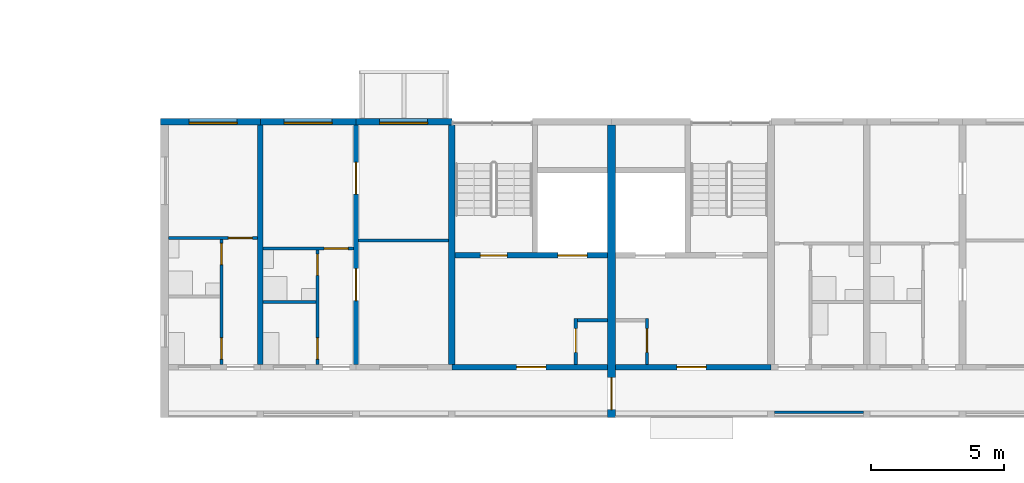
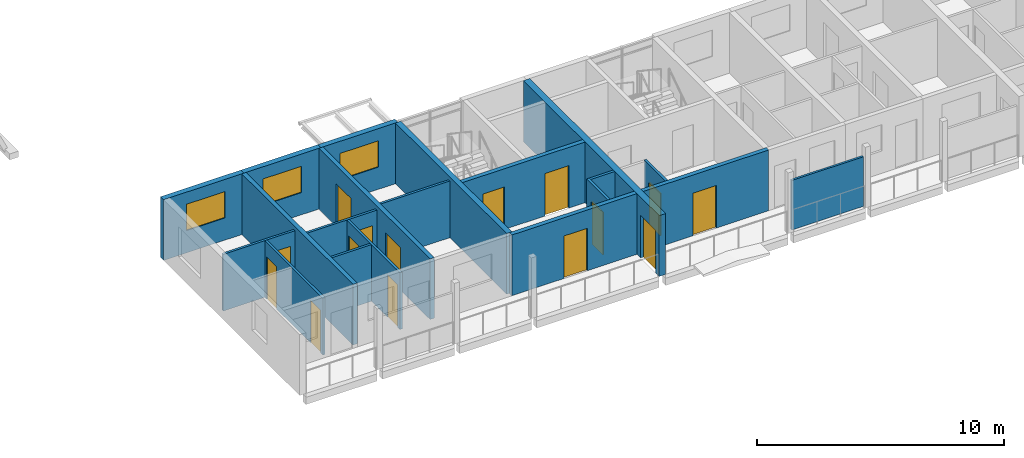
# One storey, part 47 of 100: 20 walls, 15 doors, 3 windows, 18 openings.
"""IFC4 building model written with IfcOpenShell, lengths in metres."""

from ifc_helpers import new_model, si_unit, direction, frame, frame_2d, origin, place, context, subcontext, project, spatial, rectangle, extrude, material, layer, layer_set, type_object, element, fill, save


model = new_model("IFC4")

# Units and contexts
model_context = context("Model", 3, precision=1e-05, world=origin(), true_north=direction((0.0, 1.0)))
body_context = subcontext(model_context, "Body", "Model", "MODEL_VIEW")
ifc_project = project(units=[si_unit("LENGTHUNIT", "METRE"), si_unit("AREAUNIT", "SQUARE_METRE"), si_unit("VOLUMEUNIT", "CUBIC_METRE"), si_unit("PLANEANGLEUNIT", "RADIAN"), si_unit("MASSUNIT", "GRAM", prefix="KILO")], contexts=[model_context])

# Site, building, storey
site_placement = place(None, origin())
site = spatial("IfcSite", under=ifc_project, at=site_placement, CompositionType="ELEMENT")
building_placement = place(site_placement, origin())
building = spatial("IfcBuilding", under=site, at=building_placement, Name="Ridgestep Commons", CompositionType="ELEMENT")
storey_placement = place(building_placement, frame((0.0, 0.0, 9.0)))
storey = spatial("IfcBuildingStorey", under=building, at=storey_placement, Name="L03", CompositionType="ELEMENT", Elevation=9.0)

# Wall
ifc_material_1 = material(Name="Concrete C30/37", Category="concrete")
ifc_layer_1 = layer(ifc_material_1, 0.25)
ifc_layer_set_1 = layer_set([ifc_layer_1], Name="Core cross wall 250")
wall_type_1 = type_object("IfcWallType", Name="Core cross wall 250", PredefinedType="SHEAR", material=ifc_layer_set_1)
wall_1_placement = place(storey_placement, frame((157.60009765625, 13.75, 0.0), z_axis=(0.0, 0.0, 1.0), x_axis=(0.0, 1.0, 0.0)))
element("IfcWall", 1, at=wall_1_placement, inside=storey, type_object=wall_type_1, Name="Cross wall D-03-1576", PredefinedType="SHEAR", context=body_context, shape_type="SweptSolid", body=[
    extrude(rectangle(XDim=9.0, YDim=0.25, at=frame_2d((4.5, 0.0))), origin(), (0.0, 0.0, 1.0), 3.0),
])

# Wall, opening, door
ifc_material_2 = material(Name="Concrete C30/37", Category="concrete")
ifc_layer_2 = layer(ifc_material_2, 0.199951171875)
ifc_layer_set_2 = layer_set([ifc_layer_2], Name="Core south wall 200")
wall_type_2 = type_object("IfcWallType", Name="Core south wall 200", PredefinedType="SHEAR", material=ifc_layer_set_2)
wall_2_placement = place(storey_placement, frame((157.60009765625, 13.64990234375, 0.0), z_axis=(0.0, 0.0, 1.0), x_axis=(1.0, 0.0, 0.0)))
wall_2 = element("IfcWall", 2, at=wall_2_placement, inside=storey, type_object=wall_type_2, Name="Core south wall D1C L03", PredefinedType="SHEAR", context=body_context, shape_type="SweptSolid", body=[
    extrude(rectangle(XDim=5.849853515625, YDim=0.199951171875, at=frame_2d((2.9248046875, 0.0))), origin(), (0.0, 0.0, 1.0), 3.0),
])
opening_1_placement = place(wall_2_placement, frame((2.4375, 0.0, 0.0)))
opening_1 = element("IfcOpeningElement", 3, at=opening_1_placement, cuts=wall_2, Name="Opening D1C/03/1", PredefinedType="OPENING", context=body_context, shape_type="SweptSolid", body=[
    extrude(rectangle(XDim=1.10009765625, YDim=2.10009765625, at=frame_2d((0.550048828125, 1.050048828125))), frame((0.0, 0.10986328125, 0.0), z_axis=(0.0, -1.0, 0.0), x_axis=(1.0, 0.0, 0.0)), (0.0, 0.0, 1.0), 0.219970703125),
])
ifc_material_3 = material(Name="Steel fire door", Category="steel")
door_type_1 = type_object("IfcDoorType", Name="Lobby door 1100 x 2100 FD60", OperationType="NOTDEFINED", PredefinedType="DOOR", material=ifc_material_3)
door_1_placement = place(opening_1_placement, origin())
door_1 = element("IfcDoor", 4, at=door_1_placement, inside=storey, type_object=door_type_1, Name="Lobby door D1C/03/1", OperationType="SINGLE_SWING_LEFT", OverallHeight=2.10009765625, OverallWidth=1.10009765625, PredefinedType="DOOR", context=body_context, shape_type="SweptSolid", body=[
    extrude(rectangle(XDim=1.10009765625, YDim=2.10009765625, at=frame_2d((0.550048828125, 1.050048828125))), frame((0.0, 0.02490234375, 0.0), z_axis=(0.0, -1.0, 0.0), x_axis=(1.0, 0.0, 0.0)), (0.0, 0.0, 1.0), 0.050048828125),
])
fill(opening_1, door_1)

wall_3_placement = place(storey_placement, frame((163.75, 13.64990234375, 0.0), z_axis=(0.0, 0.0, 1.0), x_axis=(1.0, 0.0, 0.0)))
wall_3 = element("IfcWall", 5, at=wall_3_placement, inside=storey, type_object=wall_type_2, Name="Core south wall D2C L03", PredefinedType="SHEAR", context=body_context, shape_type="SweptSolid", body=[
    extrude(rectangle(XDim=5.85009765625, YDim=0.199951171875, at=frame_2d((2.925048828125, 0.0))), origin(), (0.0, 0.0, 1.0), 3.0),
])
opening_2_placement = place(wall_3_placement, frame((2.3125, 0.0, 0.0)))
opening_2 = element("IfcOpeningElement", 6, at=opening_2_placement, cuts=wall_3, Name="Opening D2C/03/1", PredefinedType="OPENING", context=body_context, shape_type="SweptSolid", body=[
    extrude(rectangle(XDim=1.10009765625, YDim=2.10009765625, at=frame_2d((0.550048828125, 1.050048828125))), frame((0.0, 0.10986328125, 0.0), z_axis=(0.0, -1.0, 0.0), x_axis=(1.0, 0.0, 0.0)), (0.0, 0.0, 1.0), 0.219970703125),
])
door_2_placement = place(opening_2_placement, origin())
door_2 = element("IfcDoor", 7, at=door_2_placement, inside=storey, type_object=door_type_1, Name="Lobby door D2C/03/1", OperationType="SINGLE_SWING_LEFT", OverallHeight=2.10009765625, OverallWidth=1.10009765625, PredefinedType="DOOR", context=body_context, shape_type="SweptSolid", body=[
    extrude(rectangle(XDim=1.10009765625, YDim=2.10009765625, at=frame_2d((0.550048828125, 1.050048828125))), frame((0.0, 0.02490234375, 0.0), z_axis=(0.0, -1.0, 0.0), x_axis=(1.0, 0.0, 0.0)), (0.0, 0.0, 1.0), 0.050048828125),
])
fill(opening_2, door_2)

ifc_material_4 = material(Name="Concrete C30/37", Category="concrete")
ifc_layer_3 = layer(ifc_material_4, 0.1201171875)
ifc_layer_set_3 = layer_set([ifc_layer_3], Name="Core wall 120")
wall_type_3 = type_object("IfcWallType", Name="Core wall 120", PredefinedType="SHEAR", material=ifc_layer_set_3)
wall_4_placement = place(storey_placement, frame((162.260009765625, 13.75, 0.0), z_axis=(0.0, 0.0, 1.0), x_axis=(0.0, 1.0, 0.0)))
wall_4 = element("IfcWall", 8, at=wall_4_placement, inside=storey, type_object=wall_type_3, Name="Core riser w wall D1C L03", PredefinedType="SHEAR", context=body_context, shape_type="SweptSolid", body=[
    extrude(rectangle(XDim=1.719970703125, YDim=0.1201171875, at=frame_2d((0.85986328125, 0.0))), origin(), (0.0, 0.0, 1.0), 3.0),
])
opening_3_placement = place(wall_4_placement, frame((0.449951171875, 0.0, 0.0)))
opening_3 = element("IfcOpeningElement", 9, at=opening_3_placement, cuts=wall_4, Name="Opening D1C/03/4", PredefinedType="OPENING", context=body_context, shape_type="SweptSolid", body=[
    extrude(rectangle(XDim=0.89990234375, YDim=2.10009765625, at=frame_2d((0.449951171875, 1.050048828125))), frame((0.0, 0.070068359375, 0.0), z_axis=(0.0, -1.0, 0.0), x_axis=(1.0, 0.0, 0.0)), (0.0, 0.0, 1.0), 0.14013671875),
])
ifc_material_5 = material(Name="Steel fire door", Category="steel")
door_type_2 = type_object("IfcDoorType", Name="Riser door 900 x 2100 FD60", OperationType="NOTDEFINED", PredefinedType="DOOR", material=ifc_material_5)
door_3_placement = place(opening_3_placement, origin())
door_3 = element("IfcDoor", 10, at=door_3_placement, inside=storey, type_object=door_type_2, Name="Riser door D1C/03/4", OperationType="SINGLE_SWING_LEFT", OverallHeight=2.10009765625, OverallWidth=0.89990234375, PredefinedType="DOOR", context=body_context, shape_type="SweptSolid", body=[
    extrude(rectangle(XDim=0.89990234375, YDim=2.10009765625, at=frame_2d((0.449951171875, 1.050048828125))), frame((0.0, 0.02490234375, 0.0), z_axis=(0.0, -1.0, 0.0), x_axis=(1.0, 0.0, 0.0)), (0.0, 0.0, 1.0), 0.050048828125),
])
fill(opening_3, door_3)

# Wall
wall_5_placement = place(storey_placement, frame((162.320068359375, 15.409912109375, 0.0), z_axis=(0.0, 0.0, 1.0), x_axis=(1.0, 0.0, 0.0)))
element("IfcWall", 11, at=wall_5_placement, inside=storey, type_object=wall_type_3, Name="Core riser n wall D1C L03", PredefinedType="SHEAR", context=body_context, shape_type="SweptSolid", body=[
    extrude(rectangle(XDim=1.1298828125, YDim=0.1201171875, at=frame_2d((0.56494140625, 0.0))), origin(), (0.0, 0.0, 1.0), 3.0),
])

# Wall, opening, door
wall_6_placement = place(storey_placement, frame((164.93994140625, 13.75, 0.0), z_axis=(0.0, 0.0, 1.0), x_axis=(0.0, 1.0, 0.0)))
wall_6 = element("IfcWall", 12, at=wall_6_placement, inside=storey, type_object=wall_type_3, Name="Core riser w wall D2C L03", PredefinedType="SHEAR", context=body_context, shape_type="SweptSolid", body=[
    extrude(rectangle(XDim=1.719970703125, YDim=0.1201171875, at=frame_2d((0.85986328125, 0.0))), origin(), (0.0, 0.0, 1.0), 3.0),
])
opening_4_placement = place(wall_6_placement, frame((0.449951171875, 0.0, 0.0)))
opening_4 = element("IfcOpeningElement", 13, at=opening_4_placement, cuts=wall_6, Name="Opening D2C/03/4", PredefinedType="OPENING", context=body_context, shape_type="SweptSolid", body=[
    extrude(rectangle(XDim=0.89990234375, YDim=2.10009765625, at=frame_2d((0.449951171875, 1.050048828125))), frame((0.0, 0.070068359375, 0.0), z_axis=(0.0, -1.0, 0.0), x_axis=(1.0, 0.0, 0.0)), (0.0, 0.0, 1.0), 0.14013671875),
])
door_4_placement = place(opening_4_placement, origin())
door_4 = element("IfcDoor", 14, at=door_4_placement, inside=storey, type_object=door_type_2, Name="Riser door D2C/03/4", OperationType="SINGLE_SWING_RIGHT", OverallHeight=2.10009765625, OverallWidth=0.89990234375, PredefinedType="DOOR", context=body_context, shape_type="SweptSolid", body=[
    extrude(rectangle(XDim=0.89990234375, YDim=2.10009765625, at=frame_2d((0.449951171875, 1.050048828125))), frame((0.0, 0.02490234375, 0.0), z_axis=(0.0, -1.0, 0.0), x_axis=(1.0, 0.0, 0.0)), (0.0, 0.0, 1.0), 0.050048828125),
])
fill(opening_4, door_4)

# Wall, openings, doors
ifc_material_6 = material(Name="Concrete C30/37", Category="concrete")
ifc_layer_4 = layer(ifc_material_6, 0.199951171875)
ifc_layer_set_4 = layer_set([ifc_layer_4], Name="Core wall 200")
wall_type_4 = type_object("IfcWallType", Name="Core wall 200", PredefinedType="SHEAR", material=ifc_layer_set_4)
wall_7_placement = place(storey_placement, frame((157.72509765625, 17.85009765625, 0.0), z_axis=(0.0, 0.0, 1.0), x_axis=(1.0, 0.0, 0.0)))
wall_7 = element("IfcWall", 15, at=wall_7_placement, inside=storey, type_object=wall_type_4, Name="Core lobby wall D1C L03", PredefinedType="SHEAR", context=body_context, shape_type="SweptSolid", body=[
    extrude(rectangle(XDim=5.724853515625, YDim=0.199951171875, at=frame_2d((2.8623046875, 0.0))), origin(), (0.0, 0.0, 1.0), 3.0),
])
opening_5_placement = place(wall_7_placement, frame((0.949951171875, 0.0, 0.0)))
opening_5 = element("IfcOpeningElement", 16, at=opening_5_placement, cuts=wall_7, Name="Opening D1C/03/2", PredefinedType="OPENING", context=body_context, shape_type="SweptSolid", body=[
    extrude(rectangle(XDim=1.0, YDim=2.10009765625, at=frame_2d((0.5, 1.050048828125))), frame((0.0, 0.10986328125, 0.0), z_axis=(0.0, -1.0, 0.0), x_axis=(1.0, 0.0, 0.0)), (0.0, 0.0, 1.0), 0.219970703125),
])
opening_6_placement = place(wall_7_placement, frame((3.862548828125, 0.0, 0.0)))
opening_6 = element("IfcOpeningElement", 17, at=opening_6_placement, cuts=wall_7, Name="Opening D1C/03/3", PredefinedType="OPENING", context=body_context, shape_type="SweptSolid", body=[
    extrude(rectangle(XDim=1.10009765625, YDim=2.10009765625, at=frame_2d((0.550048828125, 1.050048828125))), frame((0.0, 0.10986328125, 0.0), z_axis=(0.0, -1.0, 0.0), x_axis=(1.0, 0.0, 0.0)), (0.0, 0.0, 1.0), 0.219970703125),
])
ifc_material_7 = material(Name="Stainless steel", Category="steel")
door_type_3 = type_object("IfcDoorType", Name="Lift landing door 1100 x 2100 FD60", OperationType="DOUBLE_DOOR_SLIDING", PredefinedType="DOOR", material=ifc_material_7)
door_5_placement = place(opening_6_placement, origin())
door_5 = element("IfcDoor", 18, at=door_5_placement, inside=storey, type_object=door_type_3, Name="Landing door LD D1C L03", OperationType="DOUBLE_DOOR_SLIDING", OverallHeight=2.10009765625, OverallWidth=1.10009765625, PredefinedType="DOOR", context=body_context, shape_type="SweptSolid", body=[
    extrude(rectangle(XDim=1.10009765625, YDim=2.10009765625, at=frame_2d((0.550048828125, 1.050048828125))), frame((0.0, 0.02490234375, 0.0), z_axis=(0.0, -1.0, 0.0), x_axis=(1.0, 0.0, 0.0)), (0.0, 0.0, 1.0), 0.050048828125),
])
fill(opening_6, door_5)
ifc_material_8 = material(Name="Steel fire door", Category="steel")
door_type_4 = type_object("IfcDoorType", Name="Stair door 1000 x 2100 FD60", OperationType="NOTDEFINED", PredefinedType="DOOR", material=ifc_material_8)
door_6_placement = place(opening_5_placement, origin())
door_6 = element("IfcDoor", 19, at=door_6_placement, inside=storey, type_object=door_type_4, Name="Stair door D1C/03/2", OperationType="SINGLE_SWING_RIGHT", OverallHeight=2.10009765625, OverallWidth=1.0, PredefinedType="DOOR", context=body_context, shape_type="SweptSolid", body=[
    extrude(rectangle(XDim=1.0, YDim=2.10009765625, at=frame_2d((0.5, 1.050048828125))), frame((0.0, 0.02490234375, 0.0), z_axis=(0.0, -1.0, 0.0), x_axis=(1.0, 0.0, 0.0)), (0.0, 0.0, 1.0), 0.050048828125),
])
fill(opening_5, door_6)

# Wall
ifc_material_9 = material(Name="Precast concrete C40/50", Category="concrete")
ifc_layer_5 = layer(ifc_material_9, 0.199951171875)
ifc_layer_set_5 = layer_set([ifc_layer_5], Name="Cross wall 200")
wall_type_5 = type_object("IfcWallType", Name="Cross wall 200", PredefinedType="SHEAR", material=ifc_layer_set_5)
wall_8_placement = place(storey_placement, frame((150.39990234375, 13.75, 0.0), z_axis=(0.0, 0.0, 1.0), x_axis=(0.0, 1.0, 0.0)))
element("IfcWall", 20, at=wall_8_placement, inside=storey, type_object=wall_type_5, Name="Cross wall D-03-1504", PredefinedType="SHEAR", context=body_context, shape_type="SweptSolid", body=[
    extrude(rectangle(XDim=9.0, YDim=0.199951171875, at=frame_2d((4.5, 0.0))), origin(), (0.0, 0.0, 1.0), 3.0),
])

# Wall, openings, doors
wall_9_placement = place(storey_placement, frame((154.0, 13.75, 0.0), z_axis=(0.0, 0.0, 1.0), x_axis=(0.0, 1.0, 0.0)))
wall_9 = element("IfcWall", 21, at=wall_9_placement, inside=storey, type_object=wall_type_5, Name="Cross wall D-03-1540", PredefinedType="SHEAR", context=body_context, shape_type="SweptSolid", body=[
    extrude(rectangle(XDim=9.0, YDim=0.199951171875, at=frame_2d((4.5, 0.0))), origin(), (0.0, 0.0, 1.0), 3.0),
])
opening_7_placement = place(wall_9_placement, frame((2.39990234375, 0.0, 0.0)))
opening_7 = element("IfcOpeningElement", 22, at=opening_7_placement, cuts=wall_9, Name="Opening D1-03b/5", PredefinedType="OPENING", context=body_context, shape_type="SweptSolid", body=[
    extrude(rectangle(XDim=1.199951171875, YDim=2.10009765625, at=frame_2d((0.60009765625, 1.050048828125))), frame((0.0, 0.10986328125, 0.0), z_axis=(0.0, -1.0, 0.0), x_axis=(1.0, 0.0, 0.0)), (0.0, 0.0, 1.0), 0.219970703125),
])
opening_8_placement = place(wall_9_placement, frame((6.39990234375, 0.0, 0.0)))
opening_8 = element("IfcOpeningElement", 23, at=opening_8_placement, cuts=wall_9, Name="Opening D1-03b/6", PredefinedType="OPENING", context=body_context, shape_type="SweptSolid", body=[
    extrude(rectangle(XDim=1.199951171875, YDim=2.10009765625, at=frame_2d((0.60009765625, 1.050048828125))), frame((0.0, 0.10986328125, 0.0), z_axis=(0.0, -1.0, 0.0), x_axis=(1.0, 0.0, 0.0)), (0.0, 0.0, 1.0), 0.219970703125),
])
ifc_material_10 = material(Name="Timber door leaf", Category="wood")
door_type_5 = type_object("IfcDoorType", Name="Double door 1200 x 2100", OperationType="DOUBLE_DOOR_SINGLE_SWING", PredefinedType="DOOR", material=ifc_material_10)
door_7_placement = place(opening_7_placement, origin())
door_7 = element("IfcDoor", 24, at=door_7_placement, inside=storey, type_object=door_type_5, Name="Double door D1-03b/5", OperationType="DOUBLE_DOOR_SINGLE_SWING", OverallHeight=2.10009765625, OverallWidth=1.199951171875, PredefinedType="DOOR", context=body_context, shape_type="SweptSolid", body=[
    extrude(rectangle(XDim=1.199951171875, YDim=2.10009765625, at=frame_2d((0.60009765625, 1.050048828125))), frame((0.0, 0.02490234375, 0.0), z_axis=(0.0, -1.0, 0.0), x_axis=(1.0, 0.0, 0.0)), (0.0, 0.0, 1.0), 0.050048828125),
])
fill(opening_7, door_7)
door_8_placement = place(opening_8_placement, origin())
door_8 = element("IfcDoor", 25, at=door_8_placement, inside=storey, type_object=door_type_5, Name="Double door D1-03b/6", OperationType="DOUBLE_DOOR_SINGLE_SWING", OverallHeight=2.10009765625, OverallWidth=1.199951171875, PredefinedType="DOOR", context=body_context, shape_type="SweptSolid", body=[
    extrude(rectangle(XDim=1.199951171875, YDim=2.10009765625, at=frame_2d((0.60009765625, 1.050048828125))), frame((0.0, 0.02490234375, 0.0), z_axis=(0.0, -1.0, 0.0), x_axis=(1.0, 0.0, 0.0)), (0.0, 0.0, 1.0), 0.050048828125),
])
fill(opening_8, door_8)

# Wall, opening, door
ifc_material_11 = material(Name="Precast concrete C40/50", Category="concrete")
ifc_layer_6 = layer(ifc_material_11, 0.300048828125)
ifc_layer_set_6 = layer_set([ifc_layer_6], Name="Division wall 300")
wall_type_6 = type_object("IfcWallType", Name="Division wall 300", PredefinedType="SHEAR", material=ifc_layer_set_6)
wall_10_placement = place(storey_placement, frame((163.60009765625, 11.75, 0.0), z_axis=(0.0, 0.0, 1.0), x_axis=(0.0, 1.0, 0.0)))
wall_10 = element("IfcWall", 26, at=wall_10_placement, inside=storey, type_object=wall_type_6, Name="Cross wall D-03-1636", PredefinedType="SHEAR", context=body_context, shape_type="SweptSolid", body=[
    extrude(rectangle(XDim=11.0, YDim=0.300048828125, at=frame_2d((5.5, 0.0))), origin(), (0.0, 0.0, 1.0), 3.0),
])
opening_9_placement = place(wall_10_placement, frame((0.300048828125, 0.0, 0.0)))
opening_9 = element("IfcOpeningElement", 27, at=opening_9_placement, cuts=wall_10, Name="Opening D/03/G1636", PredefinedType="OPENING", context=body_context, shape_type="SweptSolid", body=[
    extrude(rectangle(XDim=1.199951171875, YDim=2.10009765625, at=frame_2d((0.60009765625, 1.050048828125))), frame((0.0, 0.159912109375, 0.0), z_axis=(0.0, -1.0, 0.0), x_axis=(1.0, 0.0, 0.0)), (0.0, 0.0, 1.0), 0.320068359375),
])
ifc_material_12 = material(Name="Steel fire door", Category="steel")
door_type_6 = type_object("IfcDoorType", Name="Division fire door 1200 x 2100 EI 240", OperationType="DOUBLE_DOOR_SINGLE_SWING", PredefinedType="DOOR", material=ifc_material_12)
door_9_placement = place(opening_9_placement, origin())
door_9 = element("IfcDoor", 28, at=door_9_placement, inside=storey, type_object=door_type_6, Name="Division fire door D/03/G1636", OperationType="DOUBLE_DOOR_SINGLE_SWING", OverallHeight=2.10009765625, OverallWidth=1.199951171875, PredefinedType="DOOR", context=body_context, shape_type="SweptSolid", body=[
    extrude(rectangle(XDim=1.199951171875, YDim=2.10009765625, at=frame_2d((0.60009765625, 1.050048828125))), frame((0.0, 0.02490234375, 0.0), z_axis=(0.0, -1.0, 0.0), x_axis=(1.0, 0.0, 0.0)), (0.0, 0.0, 1.0), 0.050048828125),
])
fill(opening_9, door_9)

# Wall, opening, window
ifc_material_13 = material(Name="Precast concrete C40/50", Category="concrete")
ifc_layer_7 = layer(ifc_material_13, 0.25)
ifc_layer_set_7 = layer_set([ifc_layer_7], Name="North facade panel 250")
wall_type_7 = type_object("IfcWallType", Name="North facade panel 250", PredefinedType="SOLIDWALL", material=ifc_layer_set_7)
wall_11_placement = place(storey_placement, frame((146.64990234375, 22.875, 0.0), z_axis=(0.0, 0.0, 1.0), x_axis=(1.0, 0.0, 0.0)))
wall_11 = element("IfcWall", 29, at=wall_11_placement, inside=storey, type_object=wall_type_7, Name="North panel D1T1 L03", PredefinedType="SOLIDWALL", context=body_context, shape_type="SweptSolid", body=[
    extrude(rectangle(XDim=3.75, YDim=0.25, at=frame_2d((1.875, 0.0))), origin(), (0.0, 0.0, 1.0), 3.0),
])
opening_10_placement = place(wall_11_placement, frame((1.074951171875, 0.0, 1.10009765625)))
opening_10 = element("IfcOpeningElement", 30, at=opening_10_placement, cuts=wall_11, Name="Opening W18", PredefinedType="OPENING", context=body_context, shape_type="SweptSolid", body=[
    extrude(rectangle(XDim=1.800048828125, YDim=1.300048828125, at=frame_2d((0.89990234375, 0.64990234375))), frame((0.0, 0.135009765625, 0.0), z_axis=(0.0, -1.0, 0.0), x_axis=(1.0, 0.0, 0.0)), (0.0, 0.0, 1.0), 0.27001953125),
])
ifc_material_14 = material(Name="Aluminium 6063-T6 and glass", Category="aluminium")
window_type = type_object("IfcWindowType", Name="Flat window 1800 x 1300", PartitioningType="DOUBLE_PANEL_VERTICAL", PredefinedType="WINDOW", material=ifc_material_14)
window_1_placement = place(opening_10_placement, origin())
window_1 = element("IfcWindow", 31, at=window_1_placement, inside=storey, type_object=window_type, Name="Window D1-03a 2", OverallHeight=1.300048828125, OverallWidth=1.800048828125, PartitioningType="SINGLE_PANEL", PredefinedType="WINDOW", context=body_context, shape_type="SweptSolid", body=[
    extrude(rectangle(XDim=1.800048828125, YDim=1.300048828125, at=frame_2d((0.89990234375, 0.64990234375))), frame((0.0, -0.02490234375, 0.0), z_axis=(0.0, -1.0, 0.0), x_axis=(1.0, 0.0, 0.0)), (0.0, 0.0, 1.0), 0.06005859375),
])
fill(opening_10, window_1)

wall_12_placement = place(storey_placement, frame((150.39990234375, 22.875, 0.0), z_axis=(0.0, 0.0, 1.0), x_axis=(1.0, 0.0, 0.0)))
wall_12 = element("IfcWall", 32, at=wall_12_placement, inside=storey, type_object=wall_type_7, Name="North panel D1T2 L03", PredefinedType="SOLIDWALL", context=body_context, shape_type="SweptSolid", body=[
    extrude(rectangle(XDim=3.60009765625, YDim=0.25, at=frame_2d((1.800048828125, 0.0))), origin(), (0.0, 0.0, 1.0), 3.0),
])
opening_11_placement = place(wall_12_placement, frame((0.89990234375, 0.0, 1.10009765625)))
opening_11 = element("IfcOpeningElement", 33, at=opening_11_placement, cuts=wall_12, Name="Opening W18", PredefinedType="OPENING", context=body_context, shape_type="SweptSolid", body=[
    extrude(rectangle(XDim=1.800048828125, YDim=1.300048828125, at=frame_2d((0.89990234375, 0.64990234375))), frame((0.0, 0.135009765625, 0.0), z_axis=(0.0, -1.0, 0.0), x_axis=(1.0, 0.0, 0.0)), (0.0, 0.0, 1.0), 0.27001953125),
])
window_2_placement = place(opening_11_placement, origin())
window_2 = element("IfcWindow", 34, at=window_2_placement, inside=storey, type_object=window_type, Name="Window D1-03b 4", OverallHeight=1.300048828125, OverallWidth=1.800048828125, PartitioningType="SINGLE_PANEL", PredefinedType="WINDOW", context=body_context, shape_type="SweptSolid", body=[
    extrude(rectangle(XDim=1.800048828125, YDim=1.300048828125, at=frame_2d((0.89990234375, 0.64990234375))), frame((0.0, -0.02490234375, 0.0), z_axis=(0.0, -1.0, 0.0), x_axis=(1.0, 0.0, 0.0)), (0.0, 0.0, 1.0), 0.06005859375),
])
fill(opening_11, window_2)

wall_13_placement = place(storey_placement, frame((154.0, 22.875, 0.0), z_axis=(0.0, 0.0, 1.0), x_axis=(1.0, 0.0, 0.0)))
wall_13 = element("IfcWall", 35, at=wall_13_placement, inside=storey, type_object=wall_type_7, Name="North panel D1T3 L03", PredefinedType="SOLIDWALL", context=body_context, shape_type="SweptSolid", body=[
    extrude(rectangle(XDim=3.60009765625, YDim=0.25, at=frame_2d((1.800048828125, 0.0))), origin(), (0.0, 0.0, 1.0), 3.0),
])
opening_12_placement = place(wall_13_placement, frame((0.887451171875, 0.0, 1.10009765625)))
opening_12 = element("IfcOpeningElement", 36, at=opening_12_placement, cuts=wall_13, Name="Opening W18", PredefinedType="OPENING", context=body_context, shape_type="SweptSolid", body=[
    extrude(rectangle(XDim=1.800048828125, YDim=1.300048828125, at=frame_2d((0.89990234375, 0.64990234375))), frame((0.0, 0.135009765625, 0.0), z_axis=(0.0, -1.0, 0.0), x_axis=(1.0, 0.0, 0.0)), (0.0, 0.0, 1.0), 0.27001953125),
])
window_3_placement = place(opening_12_placement, origin())
window_3 = element("IfcWindow", 37, at=window_3_placement, inside=storey, type_object=window_type, Name="Window D1-03b 2", OverallHeight=1.300048828125, OverallWidth=1.800048828125, PartitioningType="SINGLE_PANEL", PredefinedType="WINDOW", context=body_context, shape_type="SweptSolid", body=[
    extrude(rectangle(XDim=1.800048828125, YDim=1.300048828125, at=frame_2d((0.89990234375, 0.64990234375))), frame((0.0, -0.02490234375, 0.0), z_axis=(0.0, -1.0, 0.0), x_axis=(1.0, 0.0, 0.0)), (0.0, 0.0, 1.0), 0.06005859375),
])
fill(opening_12, window_3)

# Wall, openings, doors
ifc_material_15 = material(Name="Common brick 110 mm", Category="masonry")
ifc_layer_8 = layer(ifc_material_15, 0.110107421875)
ifc_layer_set_8 = layer_set([ifc_layer_8], Name="Partition 110")
wall_type_8 = type_object("IfcWallType", Name="Partition 110", PredefinedType="PARTITIONING", material=ifc_layer_set_8)
wall_14_placement = place(storey_placement, frame((148.945068359375, 13.75, 0.0), z_axis=(0.0, 0.0, 1.0), x_axis=(0.0, 1.0, 0.0)))
wall_14 = element("IfcWall", 38, at=wall_14_placement, inside=storey, type_object=wall_type_8, Name="Partition D1-03a", PredefinedType="PARTITIONING", context=body_context, shape_type="SweptSolid", body=[
    extrude(rectangle(XDim=4.699951171875, YDim=0.110107421875, at=frame_2d((2.35009765625, 0.0))), origin(), (0.0, 0.0, 1.0), 2.800048828125),
])
opening_13_placement = place(wall_14_placement, frame((0.199951171875, 0.0, 0.0)))
opening_13 = element("IfcOpeningElement", 39, at=opening_13_placement, cuts=wall_14, Name="Opening D1-03a/2", PredefinedType="OPENING", context=body_context, shape_type="SweptSolid", body=[
    extrude(rectangle(XDim=0.800048828125, YDim=2.10009765625, at=frame_2d((0.39990234375, 1.050048828125))), frame((0.0, 0.06494140625, 0.0), z_axis=(0.0, -1.0, 0.0), x_axis=(1.0, 0.0, 0.0)), (0.0, 0.0, 1.0), 0.130126953125),
])
opening_14_placement = place(wall_14_placement, frame((3.75, 0.0, 0.0)))
opening_14 = element("IfcOpeningElement", 40, at=opening_14_placement, cuts=wall_14, Name="Opening D1-03a/3", PredefinedType="OPENING", context=body_context, shape_type="SweptSolid", body=[
    extrude(rectangle(XDim=0.800048828125, YDim=2.10009765625, at=frame_2d((0.39990234375, 1.050048828125))), frame((0.0, 0.06494140625, 0.0), z_axis=(0.0, -1.0, 0.0), x_axis=(1.0, 0.0, 0.0)), (0.0, 0.0, 1.0), 0.130126953125),
])
ifc_material_16 = material(Name="Timber door leaf", Category="wood")
door_type_7 = type_object("IfcDoorType", Name="Internal door 800 x 2100", OperationType="NOTDEFINED", PredefinedType="DOOR", material=ifc_material_16)
door_10_placement = place(opening_13_placement, origin())
door_10 = element("IfcDoor", 41, at=door_10_placement, inside=storey, type_object=door_type_7, Name="Internal door D1-03a/2", OperationType="SINGLE_SWING_LEFT", OverallHeight=2.10009765625, OverallWidth=0.800048828125, PredefinedType="DOOR", context=body_context, shape_type="SweptSolid", body=[
    extrude(rectangle(XDim=0.800048828125, YDim=2.10009765625, at=frame_2d((0.39990234375, 1.050048828125))), frame((0.0, 0.02490234375, 0.0), z_axis=(0.0, -1.0, 0.0), x_axis=(1.0, 0.0, 0.0)), (0.0, 0.0, 1.0), 0.050048828125),
])
fill(opening_13, door_10)
door_11_placement = place(opening_14_placement, origin())
door_11 = element("IfcDoor", 42, at=door_11_placement, inside=storey, type_object=door_type_7, Name="Internal door D1-03a/3", OperationType="SINGLE_SWING_RIGHT", OverallHeight=2.10009765625, OverallWidth=0.800048828125, PredefinedType="DOOR", context=body_context, shape_type="SweptSolid", body=[
    extrude(rectangle(XDim=0.800048828125, YDim=2.10009765625, at=frame_2d((0.39990234375, 1.050048828125))), frame((0.0, 0.02490234375, 0.0), z_axis=(0.0, -1.0, 0.0), x_axis=(1.0, 0.0, 0.0)), (0.0, 0.0, 1.0), 0.050048828125),
])
fill(opening_14, door_11)

# Wall, opening, door
wall_15_placement = place(storey_placement, frame((146.949951171875, 18.5048828125, 0.0), z_axis=(0.0, 0.0, 1.0), x_axis=(1.0, 0.0, 0.0)))
wall_15 = element("IfcWall", 43, at=wall_15_placement, inside=storey, type_object=wall_type_8, Name="Partition D1-03a", PredefinedType="PARTITIONING", context=body_context, shape_type="SweptSolid", body=[
    extrude(rectangle(XDim=3.35009765625, YDim=0.110107421875, at=frame_2d((1.675048828125, 0.0))), origin(), (0.0, 0.0, 1.0), 2.800048828125),
])
opening_15_placement = place(wall_15_placement, frame((2.25, 0.0, 0.0)))
opening_15 = element("IfcOpeningElement", 44, at=opening_15_placement, cuts=wall_15, Name="Opening D1-03a/4", PredefinedType="OPENING", context=body_context, shape_type="SweptSolid", body=[
    extrude(rectangle(XDim=0.89990234375, YDim=2.10009765625, at=frame_2d((0.449951171875, 1.050048828125))), frame((0.0, 0.06494140625, 0.0), z_axis=(0.0, -1.0, 0.0), x_axis=(1.0, 0.0, 0.0)), (0.0, 0.0, 1.0), 0.130126953125),
])
ifc_material_17 = material(Name="Timber door leaf", Category="wood")
door_type_8 = type_object("IfcDoorType", Name="Internal door 900 x 2100", OperationType="NOTDEFINED", PredefinedType="DOOR", material=ifc_material_17)
door_12_placement = place(opening_15_placement, origin())
door_12 = element("IfcDoor", 45, at=door_12_placement, inside=storey, type_object=door_type_8, Name="Internal door D1-03a/4", OperationType="SINGLE_SWING_LEFT", OverallHeight=2.10009765625, OverallWidth=0.89990234375, PredefinedType="DOOR", context=body_context, shape_type="SweptSolid", body=[
    extrude(rectangle(XDim=0.89990234375, YDim=2.10009765625, at=frame_2d((0.449951171875, 1.050048828125))), frame((0.0, 0.02490234375, 0.0), z_axis=(0.0, -1.0, 0.0), x_axis=(1.0, 0.0, 0.0)), (0.0, 0.0, 1.0), 0.050048828125),
])
fill(opening_15, door_12)

# Wall
wall_16_placement = place(storey_placement, frame((150.5, 16.10498046875, 0.0), z_axis=(0.0, 0.0, 1.0), x_axis=(1.0, 0.0, 0.0)))
element("IfcWall", 46, at=wall_16_placement, inside=storey, type_object=wall_type_8, Name="Partition D1-03b", PredefinedType="PARTITIONING", context=body_context, shape_type="SweptSolid", body=[
    extrude(rectangle(XDim=1.989990234375, YDim=0.110107421875, at=frame_2d((0.9951171875, 0.0))), origin(), (0.0, 0.0, 1.0), 2.800048828125),
])

# Wall, openings, doors
wall_17_placement = place(storey_placement, frame((152.544921875, 13.75, 0.0), z_axis=(0.0, 0.0, 1.0), x_axis=(0.0, 1.0, 0.0)))
wall_17 = element("IfcWall", 47, at=wall_17_placement, inside=storey, type_object=wall_type_8, Name="Partition D1-03b", PredefinedType="PARTITIONING", context=body_context, shape_type="SweptSolid", body=[
    extrude(rectangle(XDim=4.300048828125, YDim=0.110107421875, at=frame_2d((2.14990234375, 0.0))), origin(), (0.0, 0.0, 1.0), 2.800048828125),
])
opening_16_placement = place(wall_17_placement, frame((0.199951171875, 0.0, 0.0)))
opening_16 = element("IfcOpeningElement", 48, at=opening_16_placement, cuts=wall_17, Name="Opening D1-03b/2", PredefinedType="OPENING", context=body_context, shape_type="SweptSolid", body=[
    extrude(rectangle(XDim=0.800048828125, YDim=2.10009765625, at=frame_2d((0.39990234375, 1.050048828125))), frame((0.0, 0.06494140625, 0.0), z_axis=(0.0, -1.0, 0.0), x_axis=(1.0, 0.0, 0.0)), (0.0, 0.0, 1.0), 0.130126953125),
])
opening_17_placement = place(wall_17_placement, frame((3.35009765625, 0.0, 0.0)))
opening_17 = element("IfcOpeningElement", 49, at=opening_17_placement, cuts=wall_17, Name="Opening D1-03b/3", PredefinedType="OPENING", context=body_context, shape_type="SweptSolid", body=[
    extrude(rectangle(XDim=0.800048828125, YDim=2.10009765625, at=frame_2d((0.39990234375, 1.050048828125))), frame((0.0, 0.06494140625, 0.0), z_axis=(0.0, -1.0, 0.0), x_axis=(1.0, 0.0, 0.0)), (0.0, 0.0, 1.0), 0.130126953125),
])
door_13_placement = place(opening_16_placement, origin())
door_13 = element("IfcDoor", 50, at=door_13_placement, inside=storey, type_object=door_type_7, Name="Internal door D1-03b/2", OperationType="SINGLE_SWING_LEFT", OverallHeight=2.10009765625, OverallWidth=0.800048828125, PredefinedType="DOOR", context=body_context, shape_type="SweptSolid", body=[
    extrude(rectangle(XDim=0.800048828125, YDim=2.10009765625, at=frame_2d((0.39990234375, 1.050048828125))), frame((0.0, 0.02490234375, 0.0), z_axis=(0.0, -1.0, 0.0), x_axis=(1.0, 0.0, 0.0)), (0.0, 0.0, 1.0), 0.050048828125),
])
fill(opening_16, door_13)
door_14_placement = place(opening_17_placement, origin())
door_14 = element("IfcDoor", 51, at=door_14_placement, inside=storey, type_object=door_type_7, Name="Internal door D1-03b/3", OperationType="SINGLE_SWING_RIGHT", OverallHeight=2.10009765625, OverallWidth=0.800048828125, PredefinedType="DOOR", context=body_context, shape_type="SweptSolid", body=[
    extrude(rectangle(XDim=0.800048828125, YDim=2.10009765625, at=frame_2d((0.39990234375, 1.050048828125))), frame((0.0, 0.02490234375, 0.0), z_axis=(0.0, -1.0, 0.0), x_axis=(1.0, 0.0, 0.0)), (0.0, 0.0, 1.0), 0.050048828125),
])
fill(opening_17, door_14)

# Wall, opening, door
wall_18_placement = place(storey_placement, frame((150.5, 18.10498046875, 0.0), z_axis=(0.0, 0.0, 1.0), x_axis=(1.0, 0.0, 0.0)))
wall_18 = element("IfcWall", 52, at=wall_18_placement, inside=storey, type_object=wall_type_8, Name="Partition D1-03b", PredefinedType="PARTITIONING", context=body_context, shape_type="SweptSolid", body=[
    extrude(rectangle(XDim=3.39990234375, YDim=0.110107421875, at=frame_2d((1.699951171875, 0.0))), origin(), (0.0, 0.0, 1.0), 2.800048828125),
])
opening_18_placement = place(wall_18_placement, frame((2.300048828125, 0.0, 0.0)))
opening_18 = element("IfcOpeningElement", 53, at=opening_18_placement, cuts=wall_18, Name="Opening D1-03b/4", PredefinedType="OPENING", context=body_context, shape_type="SweptSolid", body=[
    extrude(rectangle(XDim=0.89990234375, YDim=2.10009765625, at=frame_2d((0.449951171875, 1.050048828125))), frame((0.0, 0.06494140625, 0.0), z_axis=(0.0, -1.0, 0.0), x_axis=(1.0, 0.0, 0.0)), (0.0, 0.0, 1.0), 0.130126953125),
])
door_15_placement = place(opening_18_placement, origin())
door_15 = element("IfcDoor", 54, at=door_15_placement, inside=storey, type_object=door_type_8, Name="Internal door D1-03b/4", OperationType="SINGLE_SWING_LEFT", OverallHeight=2.10009765625, OverallWidth=0.89990234375, PredefinedType="DOOR", context=body_context, shape_type="SweptSolid", body=[
    extrude(rectangle(XDim=0.89990234375, YDim=2.10009765625, at=frame_2d((0.449951171875, 1.050048828125))), frame((0.0, 0.02490234375, 0.0), z_axis=(0.0, -1.0, 0.0), x_axis=(1.0, 0.0, 0.0)), (0.0, 0.0, 1.0), 0.050048828125),
])
fill(opening_18, door_15)

# Walls
wall_19_placement = place(storey_placement, frame((154.10009765625, 18.405029296875, 0.0), z_axis=(0.0, 0.0, 1.0), x_axis=(1.0, 0.0, 0.0)))
element("IfcWall", 55, at=wall_19_placement, inside=storey, type_object=wall_type_8, Name="Partition D1-03b", PredefinedType="PARTITIONING", context=body_context, shape_type="SweptSolid", body=[
    extrude(rectangle(XDim=3.375, YDim=0.110107421875, at=frame_2d((1.6875, 0.0))), origin(), (0.0, 0.0, 1.0), 2.800048828125),
])
ifc_material_18 = material(Name="Precast concrete C30/37", Category="concrete")
ifc_layer_9 = layer(ifc_material_18, 0.10009765625)
ifc_layer_set_9 = layer_set([ifc_layer_9], Name="Perforated gallery screen 3350 x 2450 x 100")
wall_type_9 = type_object("IfcWallType", Name="Perforated gallery screen 3350 x 2450 x 100", PredefinedType="SOLIDWALL", material=ifc_layer_set_9)
wall_20_placement = place(storey_placement, frame((169.72509765625, 11.949951171875, 0.0), z_axis=(0.0, 0.0, 1.0), x_axis=(1.0, 0.0, 0.0)))
element("IfcWall", 56, at=wall_20_placement, inside=storey, type_object=wall_type_9, Name="Gallery screen D2T3 03", PredefinedType="SOLIDWALL", context=body_context, shape_type="SweptSolid", body=[
    extrude(rectangle(XDim=3.349853515625, YDim=0.10009765625, at=frame_2d((1.6748046875, 0.0))), origin(), (0.0, 0.0, 1.0), 2.449951171875),
])

save(model, "model.ifc")
